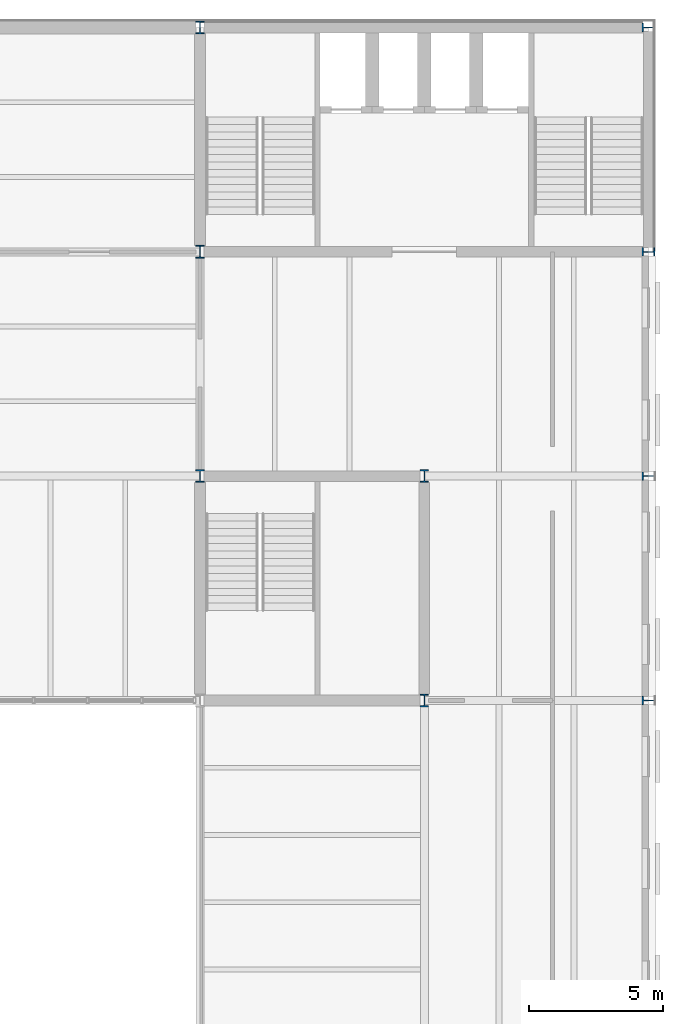
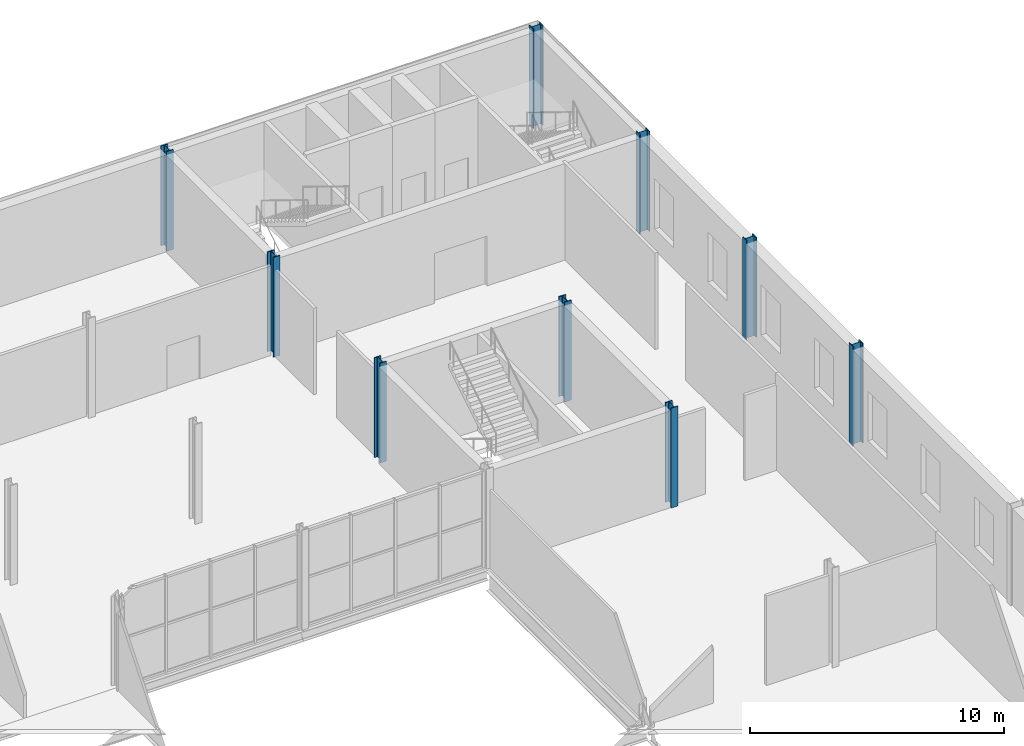
# One storey, part 8 of 57: 9 columns.
"""IFC4 building model written with IfcOpenShell, lengths in metres."""

from ifc_helpers import new_model, si_unit, direction, frame, origin, origin_2d, place, context, subcontext, project, spatial, i_section, extrude, material, material_profile, profile_set, type_object, element, save


model = new_model("IFC4")

# Units and contexts
model_context = context("Model", 3, precision=1e-05, world=origin(), true_north=direction((0.0, 1.0)))
body_context = subcontext(model_context, "Body", "Model", "MODEL_VIEW")
ifc_project = project(units=[si_unit("LENGTHUNIT", "METRE"), si_unit("AREAUNIT", "SQUARE_METRE"), si_unit("VOLUMEUNIT", "CUBIC_METRE"), si_unit("PLANEANGLEUNIT", "RADIAN"), si_unit("MASSUNIT", "GRAM", prefix="KILO")], contexts=[model_context])

# Site, building, storey
site_placement = place(None, origin())
site = spatial("IfcSite", under=ifc_project, at=site_placement, CompositionType="ELEMENT")
building_placement = place(site_placement, origin())
building = spatial("IfcBuilding", under=site, at=building_placement, Name="Galleria Vessillo Department Store", CompositionType="ELEMENT")
storey_placement = place(building_placement, frame((0.0, 0.0, 21.0)))
storey = spatial("IfcBuildingStorey", under=building, at=storey_placement, Name="L04", CompositionType="ELEMENT", Elevation=21.0)

# Columns
ifc_material = material(Name="Steel S355 J2", Category="steel")
ifc_material_profile = material_profile(ifc_material, i_section(OverallWidth=0.306884765625, OverallDepth=0.47802734375, WebThickness=0.02099609375, FlangeThickness=0.0400390625, FilletRadius=0.027099609375, at=origin_2d()), Name="HEM 450")
ifc_profile_set = profile_set([ifc_material_profile], Name="Steel S355 J2")
column_type = type_object("IfcColumnType", Name="Steel column HEM 450 CT2", PredefinedType="COLUMN", material=ifc_profile_set)
for number, where, z_axis, x_axis, name in (
    (1, (100.800048828125, 46.199951171875, 0.0), (0.0, 0.0, 1.0), (1.0, 0.0, 0.0), "S-COL-L04-13-F"),
    (2, (100.800048828125, 54.60009765625, 0.0), (0.0, 0.0, 1.0), (1.0, 0.0, 0.0), "S-COL-L04-13-G"),
    (3, (100.800048828125, 63.0, 0.0), (0.0, 0.0, 1.0), (1.0, 0.0, 0.0), "S-COL-L04-13-H"),
    (4, (109.199951171875, 37.800048828125, 0.0), (0.0, 0.0, 1.0), (1.0, 0.0, 0.0), "S-COL-L04-14-E"),
    (5, (109.199951171875, 46.199951171875, 0.0), (0.0, 0.0, 1.0), (1.0, 0.0, 0.0), "S-COL-L04-14-F"),
    (6, (117.60009765625, 37.800048828125, 0.0), (0.0, 0.0, 1.0), (0.0, 1.0, 0.0), "S-COL-L04-15-E"),
    (7, (117.60009765625, 46.199951171875, 0.0), (0.0, 0.0, 1.0), (0.0, 1.0, 0.0), "S-COL-L04-15-F"),
    (8, (117.60009765625, 54.60009765625, 0.0), (0.0, 0.0, 1.0), (0.0, 1.0, 0.0), "S-COL-L04-15-G"),
    (9, (117.60009765625, 63.0, 0.0), (0.0, 0.0, 1.0), (0.0, 1.0, 0.0), "S-COL-L04-15-H"),
):
    element("IfcColumn", number, at=place(storey_placement, frame(where, z_axis=z_axis, x_axis=x_axis)), inside=storey, type_object=column_type, Name=name, PredefinedType="COLUMN", context=body_context, shape_type="SweptSolid", body=[
        extrude(i_section(OverallWidth=0.306884765625, OverallDepth=0.47802734375, WebThickness=0.02099609375, FlangeThickness=0.0400390625, FilletRadius=0.027099609375, at=origin_2d()), origin(), (0.0, 0.0, 1.0), 4.800048828125),
    ])

save(model, "model.ifc")
